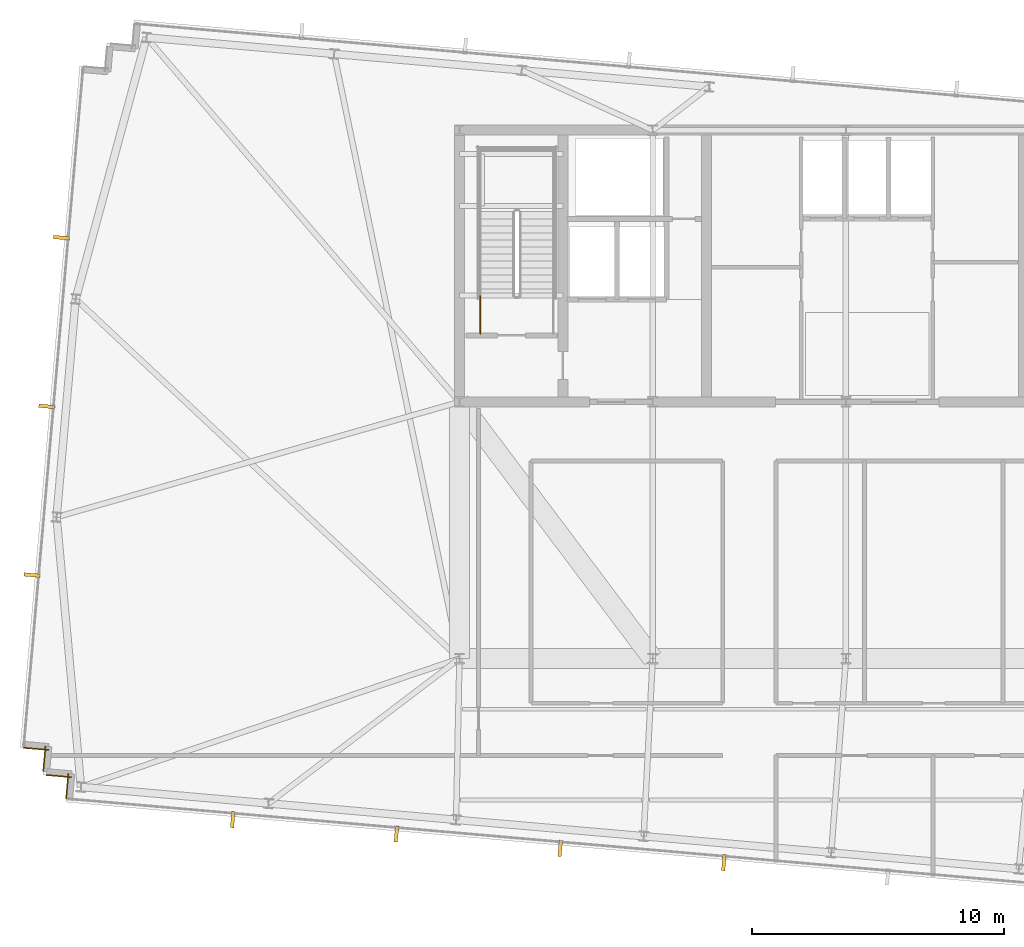
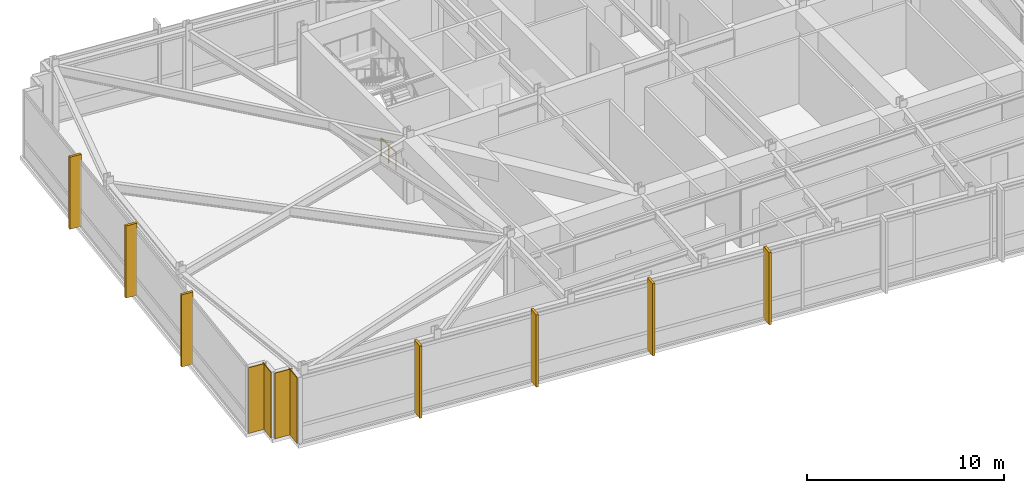
# One storey, part 22 of 25: 7 shading devices, 4 coverings, 1 railing.
"""IFC4 building model written with IfcOpenShell, lengths in metres."""

from ifc_helpers import new_model, si_unit, direction, frame, frame_2d, origin, origin_2d, place, context, subcontext, project, spatial, rectangle, circle, extrude, material, layer, layer_set, type_object, element, save


model = new_model("IFC4")

# Units and contexts
model_context = context("Model", 3, precision=1e-05, world=origin(), true_north=direction((0.0, 1.0)))
body_context = subcontext(model_context, "Body", "Model", "MODEL_VIEW")
ifc_project = project(units=[si_unit("LENGTHUNIT", "METRE"), si_unit("AREAUNIT", "SQUARE_METRE"), si_unit("VOLUMEUNIT", "CUBIC_METRE"), si_unit("PLANEANGLEUNIT", "RADIAN"), si_unit("MASSUNIT", "GRAM", prefix="KILO")], contexts=[model_context])

# Site, building, storey
site_placement = place(None, origin())
site = spatial("IfcSite", under=ifc_project, at=site_placement, CompositionType="ELEMENT")
building_placement = place(site_placement, origin())
building = spatial("IfcBuilding", under=site, at=building_placement, Name="Yelkora Congress Tower", CompositionType="ELEMENT")
storey_placement = place(building_placement, frame((0.0, 0.0, 299.89990234375)))
storey = spatial("IfcBuildingStorey", under=building, at=storey_placement, Name="L84", CompositionType="ELEMENT", Elevation=299.89990234375)

# Coverings
ifc_material_1 = material(Name="Anatolian bush-hammered limestone", Category="masonry")
ifc_layer_1 = layer(ifc_material_1, 0.0400390625)
ifc_layer_set_1 = layer_set([ifc_layer_1], Name="Anatolian bush-hammered limestone")
covering_type = type_object("IfcCoveringType", Name="COV-CLAD-SPANDREL-40", PredefinedType="CLADDING", material=ifc_layer_set_1)
for number, where, z_axis, x_axis, name in (
    (1, (7.41064453125, 19.63720703125, 0.0), (0.0, 0.0, 1.0), (0.087166950281, 0.996193717496, 0.0), "L84 Anatolian Limestone Cladding EW-L84-SR01"),
    (2, (7.62060546875, 20.4873046875, 0.0), (0.0, 0.0, 1.0), (-0.996214890596, 0.086924632611, 0.0), "L84 Anatolian Limestone Cladding EW-L84-SR02"),
):
    element("IfcCovering", number, at=place(storey_placement, frame(where, z_axis=z_axis, x_axis=x_axis)), inside=storey, type_object=covering_type, Name=name, PredefinedType="CLADDING", context=body_context, shape_type="SweptSolid", body=[
        extrude(rectangle(XDim=1.0, YDim=0.0400390625, at=frame_2d((0.5, 0.0))), origin(), (0.0, 0.0, 1.0), 4.080078125),
    ])
covering_1_placement = place(storey_placement, frame((6.501708984375, 20.720458984375, 0.0), z_axis=(0.0, 0.0, 1.0), x_axis=(0.087145753297, 0.996195572005, 0.0)))
element("IfcCovering", 3, at=covering_1_placement, inside=storey, type_object=covering_type, Name="L84 Anatolian Limestone Cladding EW-L84-SR03", PredefinedType="CLADDING", context=body_context, shape_type="SweptSolid", body=[
    extrude(rectangle(XDim=1.000244140625, YDim=0.0400390625, at=frame_2d((0.5, 0.0))), origin(), (0.0, 0.0, 1.0), 4.080078125),
])
covering_2_placement = place(storey_placement, frame((6.71142578125, 21.570556640625, 0.0), z_axis=(0.0, 0.0, 1.0), x_axis=(-0.996193717496, 0.087166950281, 0.0)))
element("IfcCovering", 4, at=covering_2_placement, inside=storey, type_object=covering_type, Name="L84 Anatolian Limestone Cladding EW-L84-SR04", PredefinedType="CLADDING", context=body_context, shape_type="SweptSolid", body=[
    extrude(rectangle(XDim=1.0, YDim=0.0400390625, at=frame_2d((0.5, 0.0))), origin(), (0.0, 0.0, 1.0), 4.080078125),
])

# Railing
ifc_material_2 = material(Name="Painted galvanised steel stair well guard with vertical infill", Category="steel")
ifc_layer_2 = layer(ifc_material_2, 0.06005859375)
ifc_layer_set_2 = layer_set([ifc_layer_2], Name="Painted galvanised steel stair well guard with vertical infill")
railing_type = type_object("IfcRailingType", Name="RAIL-STAIR-GUARD-1120", PredefinedType="GUARDRAIL", material=ifc_layer_set_2)
railing_placement = place(storey_placement, frame((23.8701171875, 38.1201171875, 0.0)))
element("IfcRailing", 5, at=railing_placement, inside=storey, type_object=railing_type, Name="ST-01 L84 Stair Well Guardrail 9", PredefinedType="GUARDRAIL", context=body_context, shape_type="SweptSolid", body=[
    extrude(circle(Radius=0.02392578125, at=origin_2d()), frame((0.0, 0.0, 1.09619140625), z_axis=(0.0, 1.0, 0.0), x_axis=(-1.0, 0.0, 0.0)), (0.0, 0.0, 1.0), 1.47998046875),
    extrude(circle(Radius=0.02099609375, at=origin_2d()), origin(), (0.0, 0.0, 1.0), 1.072021484375),
    extrude(circle(Radius=0.02099609375, at=origin_2d()), frame((0.0, 0.739990234375, 0.0)), (0.0, 0.0, 1.0), 1.072021484375),
    extrude(circle(Radius=0.02099609375, at=origin_2d()), frame((0.0, 1.47998046875, 0.0)), (0.0, 0.0, 1.0), 1.072021484375),
])

# Shading devices
ifc_material_3 = material(Name="Champagne anodised aluminium", Category="aluminium")
ifc_layer_3 = layer(ifc_material_3, 3.39990234375)
ifc_layer_set_3 = layer_set([ifc_layer_3], Name="Champagne anodised aluminium")
shading_device_type = type_object("IfcShadingDeviceType", Name="SHD-FIN-ALU-640", PredefinedType="USERDEFINED", material=ifc_layer_set_3)
for number, where, z_axis, x_axis, name in (
    (6, (6.0546875, 28.519287109375, -0.02978515625), (0.0, 0.0, 1.0), (0.087155742748, 0.996194698092, 0.0), "L84 Vertical Anodised Solar Fin 5-1"),
    (7, (6.64111328125, 35.2236328125, -0.02978515625), (0.0, 0.0, 1.0), (0.087155742748, 0.996194698092, 0.0), "L84 Vertical Anodised Solar Fin 5-2"),
    (8, (7.227783203125, 41.927978515625, -0.02978515625), (0.0, 0.0, 1.0), (0.087155742748, 0.996194698092, 0.0), "L84 Vertical Anodised Solar Fin 5-3"),
    (9, (33.548828125, 17.08935546875, -0.02978515625), (0.0, 0.0, 1.0), (-0.996194698092, 0.087155742748, 0.0), "L84 Vertical Anodised Solar Fin 20-3"),
    (10, (27.042236328125, 17.65869140625, -0.02978515625), (0.0, 0.0, 1.0), (-0.996194698092, 0.087155742748, 0.0), "L84 Vertical Anodised Solar Fin 20-4"),
    (11, (20.53564453125, 18.227783203125, -0.02978515625), (0.0, 0.0, 1.0), (-0.996194698092, 0.087155742748, 0.0), "L84 Vertical Anodised Solar Fin 20-5"),
    (12, (14.029052734375, 18.797119140625, -0.02978515625), (0.0, 0.0, 1.0), (-0.996194698092, 0.087155742748, 0.0), "L84 Vertical Anodised Solar Fin 20-6"),
):
    element("IfcShadingDevice", number, at=place(storey_placement, frame(where, z_axis=z_axis, x_axis=x_axis)), inside=storey, type_object=shading_device_type, Name=name, ObjectType="FIN", PredefinedType="USERDEFINED", context=body_context, shape_type="SweptSolid", body=[
        extrude(rectangle(XDim=0.139892578125, YDim=0.639892578125, at=origin_2d()), origin(), (0.0, 0.0, 1.0), 4.47998046875),
    ])

save(model, "model.ifc")
